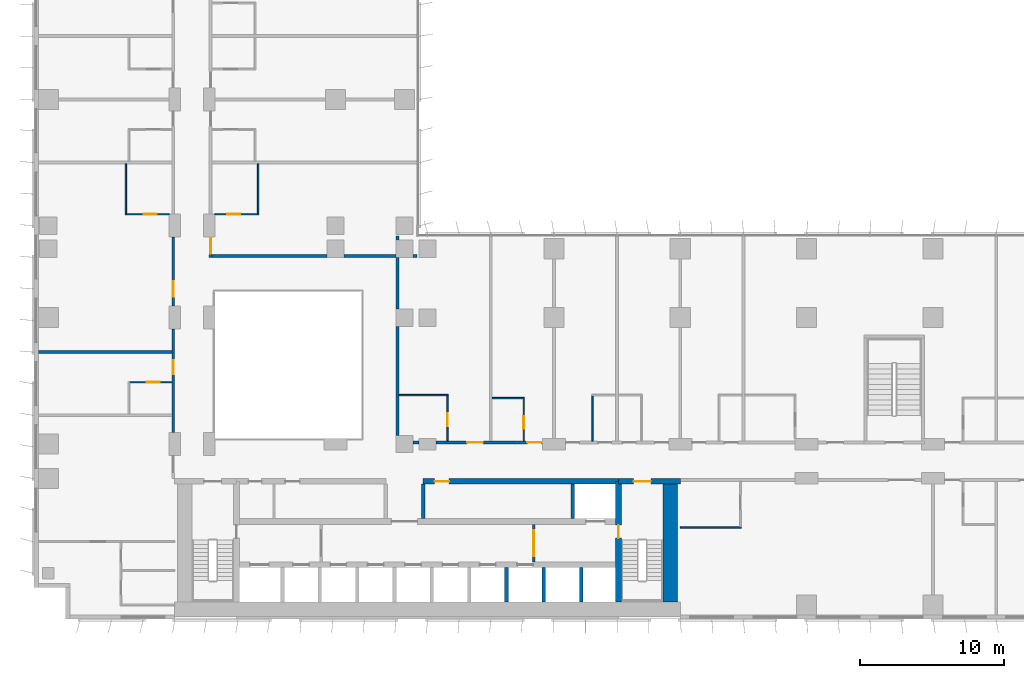
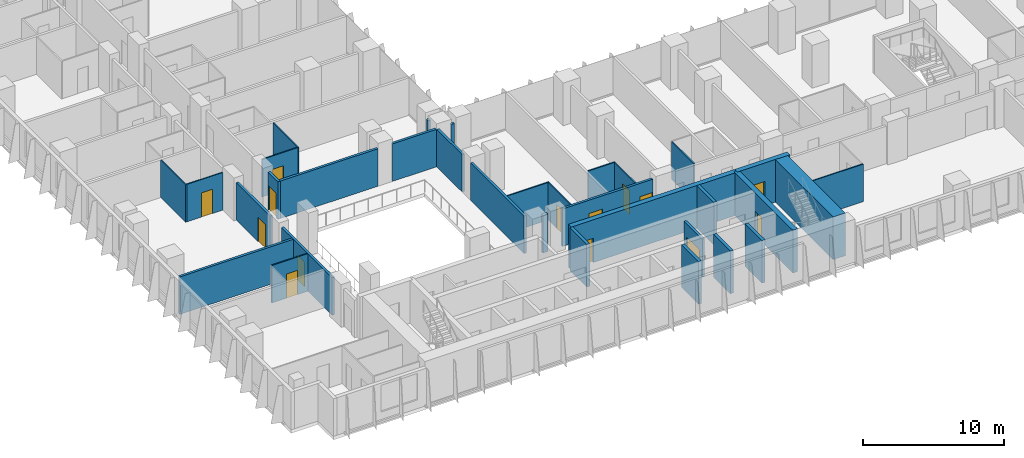
# One storey, part 13 of 23: 33 walls, 14 doors, 14 openings.
"""IFC4 building model written with IfcOpenShell, lengths in metres."""

from ifc_helpers import new_model, si_unit, direction, frame, frame_2d, origin, place, context, subcontext, project, spatial, rectangle, extrude, material, layer, layer_set, type_object, element, fill, save


model = new_model("IFC4")

# Units and contexts
model_context = context("Model", 3, precision=1e-05, world=origin(), true_north=direction((0.0, 1.0)))
body_context = subcontext(model_context, "Body", "Model", "MODEL_VIEW")
ifc_project = project(units=[si_unit("LENGTHUNIT", "METRE"), si_unit("AREAUNIT", "SQUARE_METRE"), si_unit("VOLUMEUNIT", "CUBIC_METRE"), si_unit("PLANEANGLEUNIT", "RADIAN"), si_unit("MASSUNIT", "GRAM", prefix="KILO")], contexts=[model_context])

# Site, building, storey
site_placement = place(None, origin())
site = spatial("IfcSite", under=ifc_project, at=site_placement, CompositionType="ELEMENT")
building_placement = place(site_placement, origin())
building = spatial("IfcBuilding", under=site, at=building_placement, Name="Kemantara Hotel Tower", CompositionType="ELEMENT")
storey_placement = place(building_placement, frame((0.0, 0.0, 67.300048828125)))
storey = spatial("IfcBuildingStorey", under=building, at=storey_placement, Name="L15", CompositionType="ELEMENT", Elevation=67.300048828125)

# Walls
ifc_material_1 = material(Name="Concrete fc 70 MPa", Category="concrete")
ifc_layer_1 = layer(ifc_material_1, 1.0)
ifc_layer_set_1 = layer_set([ifc_layer_1], Name="Concrete fc 70 MPa")
wall_type_1 = type_object("IfcWallType", Name="CORE WALL 1000 FC70", PredefinedType="SHEAR", material=ifc_layer_set_1)
wall_1_placement = place(storey_placement, frame((44.300048828125, 1.199951171875, 0.0), z_axis=(0.0, 0.0, 1.0), x_axis=(0.0, 1.0, 0.0)))
element("IfcWall", 1, at=wall_1_placement, inside=storey, type_object=wall_type_1, Name="CORE WALL CW-E", PredefinedType="SHEAR", context=body_context, shape_type="SweptSolid", body=[
    extrude(rectangle(XDim=8.60009765625, YDim=1.0, at=frame_2d((4.300048828125, 0.0))), origin(), (0.0, 0.0, 1.0), 3.699951171875),
])
ifc_layer_2 = layer(ifc_material_1, 0.25)
ifc_layer_set_2 = layer_set([ifc_layer_2], Name="Concrete fc 70 MPa")
wall_type_2 = type_object("IfcWallType", Name="CORE WALL 250 FC70", PredefinedType="SHEAR", material=ifc_layer_set_2)
for number, where, z_axis, x_axis, name in (
    (2, (32.89990234375, 1.199951171875, 0.0), (0.0, 0.0, 1.0), (0.0, 1.0, 0.0), "CORE WALL CW-DS32.9"),
    (3, (35.5, 1.199951171875, 0.0), (0.0, 0.0, 1.0), (0.0, 1.0, 0.0), "CORE WALL CW-DS35.5"),
    (4, (38.10009765625, 1.199951171875, 0.0), (0.0, 0.0, 1.0), (0.0, 1.0, 0.0), "CORE WALL CW-DS38.1"),
):
    element("IfcWall", number, at=place(storey_placement, frame(where, z_axis=z_axis, x_axis=x_axis)), inside=storey, type_object=wall_type_2, Name=name, PredefinedType="SHEAR", context=body_context, shape_type="SweptSolid", body=[
        extrude(rectangle(XDim=2.400146484375, YDim=0.25, at=frame_2d((1.2001953125, 0.0))), origin(), (0.0, 0.0, 1.0), 3.699951171875),
    ])
for number, where, z_axis, x_axis, name in (
    (5, (27.10009765625, 7.0, 0.0), (0.0, 0.0, 1.0), (0.0, 1.0, 0.0), "CORE WALL CW-DN27.1"),
    (6, (37.5, 7.0, 0.0), (0.0, 0.0, 1.0), (0.0, 1.0, 0.0), "CORE WALL CW-DN37.5"),
):
    element("IfcWall", number, at=place(storey_placement, frame(where, z_axis=z_axis, x_axis=x_axis)), inside=storey, type_object=wall_type_2, Name=name, PredefinedType="SHEAR", context=body_context, shape_type="SweptSolid", body=[
        extrude(rectangle(XDim=2.39990234375, YDim=0.25, at=frame_2d((1.199951171875, 0.0))), origin(), (0.0, 0.0, 1.0), 3.699951171875),
    ])

# Wall, opening, door
ifc_layer_3 = layer(ifc_material_1, 0.39990234375)
ifc_layer_set_3 = layer_set([ifc_layer_3], Name="Concrete fc 70 MPa")
wall_type_3 = type_object("IfcWallType", Name="CORE WALL 400 FC70", PredefinedType="SHEAR", material=ifc_layer_set_3)
wall_2_placement = place(storey_placement, frame((40.699951171875, 9.60009765625, 0.0), z_axis=(0.0, 0.0, 1.0), x_axis=(1.0, 0.0, 0.0)))
wall_2 = element("IfcWall", 7, at=wall_2_placement, inside=storey, type_object=wall_type_3, Name="CORE WALL CW-N2", PredefinedType="SHEAR", context=body_context, shape_type="SweptSolid", body=[
    extrude(rectangle(XDim=4.300048828125, YDim=0.39990234375, at=frame_2d((2.14990234375, 0.0))), origin(), (0.0, 0.0, 1.0), 3.699951171875),
])
opening_1_placement = place(wall_2_placement, frame((1.050048828125, 0.0, 0.0)))
opening_1 = element("IfcOpeningElement", 8, at=opening_1_placement, cuts=wall_2, Name="Opening C11-ST2-C", PredefinedType="OPENING", context=body_context, shape_type="SweptSolid", body=[
    extrude(rectangle(XDim=1.199951171875, YDim=2.10009765625, at=frame_2d((0.60009765625, 1.050048828125))), frame((0.0, 0.2099609375, 0.0), z_axis=(0.0, -1.0, 0.0), x_axis=(1.0, 0.0, 0.0)), (0.0, 0.0, 1.0), 0.419921875),
])
ifc_material_2 = material(Name="Steel fire door", Category="steel")
door_type_1 = type_object("IfcDoorType", Name="Fire door FD90 1200 x 2100", OperationType="NOTDEFINED", PredefinedType="DOOR", material=ifc_material_2)
door_1_placement = place(opening_1_placement, frame((1.199951171875, 0.0, 0.0), z_axis=(0.0, 0.0, 1.0), x_axis=(-1.0, 0.0, 0.0)))
door_1 = element("IfcDoor", 9, at=door_1_placement, inside=storey, type_object=door_type_1, Name="Stair ST2 door to corridor", OperationType="SINGLE_SWING_RIGHT", OverallHeight=2.10009765625, OverallWidth=1.199951171875, PredefinedType="DOOR", context=body_context, shape_type="SweptSolid", body=[
    extrude(rectangle(XDim=1.199951171875, YDim=2.10009765625, at=frame_2d((0.60009765625, 1.050048828125))), frame((0.0, 0.02490234375, 0.0), z_axis=(0.0, -1.0, 0.0), x_axis=(1.0, 0.0, 0.0)), (0.0, 0.0, 1.0), 0.050048828125),
])
fill(opening_1, door_1)

wall_3_placement = place(storey_placement, frame((27.10009765625, 9.60009765625, 0.0), z_axis=(0.0, 0.0, 1.0), x_axis=(1.0, 0.0, 0.0)))
wall_3 = element("IfcWall", 10, at=wall_3_placement, inside=storey, type_object=wall_type_3, Name="CORE WALL CW-NN2", PredefinedType="SHEAR", context=body_context, shape_type="SweptSolid", body=[
    extrude(rectangle(XDim=13.599853515625, YDim=0.39990234375, at=frame_2d((6.7998046875, 0.0))), origin(), (0.0, 0.0, 1.0), 3.699951171875),
])
opening_2_placement = place(wall_3_placement, frame((0.800048828125, 0.0, 0.0)))
opening_2 = element("IfcOpeningElement", 11, at=opening_2_placement, cuts=wall_3, Name="Opening C11-R-NE1", PredefinedType="OPENING", context=body_context, shape_type="SweptSolid", body=[
    extrude(rectangle(XDim=1.0, YDim=2.10009765625, at=frame_2d((0.5, 1.050048828125))), frame((0.0, 0.2099609375, 0.0), z_axis=(0.0, -1.0, 0.0), x_axis=(1.0, 0.0, 0.0)), (0.0, 0.0, 1.0), 0.419921875),
])
door_type_2 = type_object("IfcDoorType", Name="Fire door FD30S 1000 x 2100", OperationType="NOTDEFINED", PredefinedType="DOOR", material=ifc_material_2)
door_2_placement = place(opening_2_placement, frame((1.0, 0.0, 0.0), z_axis=(0.0, 0.0, 1.0), x_axis=(-1.0, 0.0, 0.0)))
door_2 = element("IfcDoor", 12, at=door_2_placement, inside=storey, type_object=door_type_2, Name="Luggage Store door", OperationType="SINGLE_SWING_RIGHT", OverallHeight=2.10009765625, OverallWidth=1.0, PredefinedType="DOOR", context=body_context, shape_type="SweptSolid", body=[
    extrude(rectangle(XDim=1.0, YDim=2.10009765625, at=frame_2d((0.5, 1.050048828125))), frame((0.0, 0.02490234375, 0.0), z_axis=(0.0, -1.0, 0.0), x_axis=(1.0, 0.0, 0.0)), (0.0, 0.0, 1.0), 0.050048828125),
])
fill(opening_2, door_2)

wall_4_placement = place(storey_placement, frame((40.699951171875, 1.199951171875, 0.0), z_axis=(0.0, 0.0, 1.0), x_axis=(0.0, 1.0, 0.0)))
wall_4 = element("IfcWall", 13, at=wall_4_placement, inside=storey, type_object=wall_type_3, Name="CORE WALL CW-ST2W", PredefinedType="SHEAR", context=body_context, shape_type="SweptSolid", body=[
    extrude(rectangle(XDim=8.400146484375, YDim=0.39990234375, at=frame_2d((4.2001953125, 0.0))), origin(), (0.0, 0.0, 1.0), 3.699951171875),
])
opening_3_placement = place(wall_4_placement, frame((4.449951171875, 0.0, 0.0)))
opening_3 = element("IfcOpeningElement", 14, at=opening_3_placement, cuts=wall_4, Name="Opening C11-ST2-F", PredefinedType="OPENING", context=body_context, shape_type="SweptSolid", body=[
    extrude(rectangle(XDim=0.89990234375, YDim=2.10009765625, at=frame_2d((0.449951171875, 1.050048828125))), frame((0.0, 0.2099609375, 0.0), z_axis=(0.0, -1.0, 0.0), x_axis=(1.0, 0.0, 0.0)), (0.0, 0.0, 1.0), 0.419921875),
])
door_type_3 = type_object("IfcDoorType", Name="Fire door FD90 900 x 2100", OperationType="NOTDEFINED", PredefinedType="DOOR", material=ifc_material_2)
door_3_placement = place(opening_3_placement, frame((0.89990234375, 0.0, 0.0), z_axis=(0.0, 0.0, 1.0), x_axis=(-1.0, 0.0, 0.0)))
door_3 = element("IfcDoor", 15, at=door_3_placement, inside=storey, type_object=door_type_3, Name="Stair ST2 door to firefighting lobby", OperationType="SINGLE_SWING_LEFT", OverallHeight=2.10009765625, OverallWidth=0.89990234375, PredefinedType="DOOR", context=body_context, shape_type="SweptSolid", body=[
    extrude(rectangle(XDim=0.89990234375, YDim=2.10009765625, at=frame_2d((0.449951171875, 1.050048828125))), frame((0.0, 0.02490234375, 0.0), z_axis=(0.0, -1.0, 0.0), x_axis=(1.0, 0.0, 0.0)), (0.0, 0.0, 1.0), 0.050048828125),
])
fill(opening_3, door_3)

# Wall
ifc_material_3 = material(Name="Gypsum board partition, steel studs and mineral wool, 200 mm", Category="steel")
ifc_layer_4 = layer(ifc_material_3, 0.199951171875)
ifc_layer_set_4 = layer_set([ifc_layer_4], Name="Gypsum board partition, steel studs and mineral wool, 200 mm")
wall_type_4 = type_object("IfcWallType", Name="CORRIDOR WALL 200", PredefinedType="PARTITIONING", material=ifc_layer_set_4)
wall_5_placement = place(storey_placement, frame((26.400146484375, 12.300048828125, 0.0), z_axis=(0.0, 0.0, 1.0), x_axis=(1.0, 0.0, 0.0)))
element("IfcWall", 16, at=wall_5_placement, inside=storey, type_object=wall_type_4, Name="CORRIDOR WALL 200 009", PredefinedType="PARTITIONING", context=body_context, shape_type="SweptSolid", body=[
    extrude(rectangle(XDim=0.399658203125, YDim=0.199951171875, at=frame_2d((0.19970703125, 0.0))), origin(), (0.0, 0.0, 1.0), 3.25),
])

# Wall, openings, doors
wall_6_placement = place(storey_placement, frame((28.0, 12.300048828125, 0.0), z_axis=(0.0, 0.0, 1.0), x_axis=(1.0, 0.0, 0.0)))
wall_6 = element("IfcWall", 17, at=wall_6_placement, inside=storey, type_object=wall_type_4, Name="CORRIDOR WALL 200 010", PredefinedType="PARTITIONING", context=body_context, shape_type="SweptSolid", body=[
    extrude(rectangle(XDim=7.39990234375, YDim=0.199951171875, at=frame_2d((3.699951171875, 0.0))), origin(), (0.0, 0.0, 1.0), 3.25),
])
opening_4_placement = place(wall_6_placement, frame((2.14990234375, 0.0, 0.0)))
opening_4 = element("IfcOpeningElement", 18, at=opening_4_placement, cuts=wall_6, Name="Opening F05-009", PredefinedType="OPENING", context=body_context, shape_type="SweptSolid", body=[
    extrude(rectangle(XDim=1.10009765625, YDim=2.10009765625, at=frame_2d((0.550048828125, 1.050048828125))), frame((0.0, 0.10986328125, 0.0), z_axis=(0.0, -1.0, 0.0), x_axis=(1.0, 0.0, 0.0)), (0.0, 0.0, 1.0), 0.219970703125),
])
opening_5_placement = place(wall_6_placement, frame((6.349853515625, 0.0, 0.0)))
opening_5 = element("IfcOpeningElement", 19, at=opening_5_placement, cuts=wall_6, Name="Opening F05-011", PredefinedType="OPENING", context=body_context, shape_type="SweptSolid", body=[
    extrude(rectangle(XDim=1.0, YDim=2.10009765625, at=frame_2d((0.5, 1.050048828125))), frame((0.0, 0.10986328125, 0.0), z_axis=(0.0, -1.0, 0.0), x_axis=(1.0, 0.0, 0.0)), (0.0, 0.0, 1.0), 0.219970703125),
])
ifc_material_4 = material(Name="Hardwood veneer door leaf with steel frame", Category="steel")
door_type_4 = type_object("IfcDoorType", Name="GUEST ROOM DOOR 1000 X 2100 FD30S", OperationType="NOTDEFINED", PredefinedType="DOOR", material=ifc_material_4)
door_4_placement = place(opening_5_placement, origin())
door_4 = element("IfcDoor", 20, at=door_4_placement, inside=storey, type_object=door_type_4, Name="GUEST ROOM DOOR F05-011", OperationType="SINGLE_SWING_RIGHT", OverallHeight=2.10009765625, OverallWidth=1.0, PredefinedType="DOOR", context=body_context, shape_type="SweptSolid", body=[
    extrude(rectangle(XDim=1.0, YDim=2.10009765625, at=frame_2d((0.5, 1.050048828125))), frame((0.0, 0.02490234375, 0.0), z_axis=(0.0, -1.0, 0.0), x_axis=(1.0, 0.0, 0.0)), (0.0, 0.0, 1.0), 0.050048828125),
])
fill(opening_5, door_4)
door_type_5 = type_object("IfcDoorType", Name="SUITE ENTRANCE DOOR 1100 X 2100 FD30S", OperationType="NOTDEFINED", PredefinedType="DOOR", material=ifc_material_4)
door_5_placement = place(opening_4_placement, origin())
door_5 = element("IfcDoor", 21, at=door_5_placement, inside=storey, type_object=door_type_5, Name="SUITE ENTRANCE DOOR F05-009", OperationType="SINGLE_SWING_RIGHT", OverallHeight=2.10009765625, OverallWidth=1.10009765625, PredefinedType="DOOR", context=body_context, shape_type="SweptSolid", body=[
    extrude(rectangle(XDim=1.10009765625, YDim=2.10009765625, at=frame_2d((0.550048828125, 1.050048828125))), frame((0.0, 0.02490234375, 0.0), z_axis=(0.0, -1.0, 0.0), x_axis=(1.0, 0.0, 0.0)), (0.0, 0.0, 1.0), 0.050048828125),
])
fill(opening_4, door_5)

# Wall, opening, door
wall_7_placement = place(storey_placement, frame((9.699951171875, 13.0, 0.0), z_axis=(0.0, 0.0, 1.0), x_axis=(0.0, 1.0, 0.0)))
wall_7 = element("IfcWall", 22, at=wall_7_placement, inside=storey, type_object=wall_type_4, Name="CORRIDOR WALL 200 027", PredefinedType="PARTITIONING", context=body_context, shape_type="SweptSolid", body=[
    extrude(rectangle(XDim=7.199951171875, YDim=0.199951171875, at=frame_2d((3.60009765625, 0.0))), origin(), (0.0, 0.0, 1.0), 3.25),
])
opening_6_placement = place(wall_7_placement, frame((4.0498046875, 0.0, 0.0)))
opening_6 = element("IfcOpeningElement", 23, at=opening_6_placement, cuts=wall_7, Name="Opening F05-031", PredefinedType="OPENING", context=body_context, shape_type="SweptSolid", body=[
    extrude(rectangle(XDim=1.0, YDim=2.10009765625, at=frame_2d((0.5, 1.050048828125))), frame((0.0, 0.10986328125, 0.0), z_axis=(0.0, -1.0, 0.0), x_axis=(1.0, 0.0, 0.0)), (0.0, 0.0, 1.0), 0.219970703125),
])
door_6_placement = place(opening_6_placement, origin())
door_6 = element("IfcDoor", 24, at=door_6_placement, inside=storey, type_object=door_type_4, Name="GUEST ROOM DOOR F05-031", OperationType="SINGLE_SWING_RIGHT", OverallHeight=2.10009765625, OverallWidth=1.0, PredefinedType="DOOR", context=body_context, shape_type="SweptSolid", body=[
    extrude(rectangle(XDim=1.0, YDim=2.10009765625, at=frame_2d((0.5, 1.050048828125))), frame((0.0, 0.02490234375, 0.0), z_axis=(0.0, -1.0, 0.0), x_axis=(1.0, 0.0, 0.0)), (0.0, 0.0, 1.0), 0.050048828125),
])
fill(opening_6, door_6)

wall_8_placement = place(storey_placement, frame((9.699951171875, 21.800048828125, 0.0), z_axis=(0.0, 0.0, 1.0), x_axis=(0.0, 1.0, 0.0)))
wall_8 = element("IfcWall", 25, at=wall_8_placement, inside=storey, type_object=wall_type_4, Name="CORRIDOR WALL 200 028", PredefinedType="PARTITIONING", context=body_context, shape_type="SweptSolid", body=[
    extrude(rectangle(XDim=4.7998046875, YDim=0.199951171875, at=frame_2d((2.39990234375, 0.0))), origin(), (0.0, 0.0, 1.0), 3.25),
])
opening_7_placement = place(wall_8_placement, frame((0.64990234375, 0.0, 0.0)))
opening_7 = element("IfcOpeningElement", 26, at=opening_7_placement, cuts=wall_8, Name="Opening F05-033", PredefinedType="OPENING", context=body_context, shape_type="SweptSolid", body=[
    extrude(rectangle(XDim=1.10009765625, YDim=2.10009765625, at=frame_2d((0.550048828125, 1.050048828125))), frame((0.0, 0.10986328125, 0.0), z_axis=(0.0, -1.0, 0.0), x_axis=(1.0, 0.0, 0.0)), (0.0, 0.0, 1.0), 0.219970703125),
])
door_7_placement = place(opening_7_placement, origin())
door_7 = element("IfcDoor", 27, at=door_7_placement, inside=storey, type_object=door_type_5, Name="SUITE ENTRANCE DOOR F05-033", OperationType="SINGLE_SWING_LEFT", OverallHeight=2.10009765625, OverallWidth=1.10009765625, PredefinedType="DOOR", context=body_context, shape_type="SweptSolid", body=[
    extrude(rectangle(XDim=1.10009765625, YDim=2.10009765625, at=frame_2d((0.550048828125, 1.050048828125))), frame((0.0, 0.02490234375, 0.0), z_axis=(0.0, -1.0, 0.0), x_axis=(1.0, 0.0, 0.0)), (0.0, 0.0, 1.0), 0.050048828125),
])
fill(opening_7, door_7)

wall_9_placement = place(storey_placement, frame((12.300048828125, 26.599853515625, 0.0), z_axis=(0.0, 0.0, 1.0), x_axis=(0.0, -1.0, 0.0)))
wall_9 = element("IfcWall", 28, at=wall_9_placement, inside=storey, type_object=wall_type_4, Name="CORRIDOR WALL 200 048", PredefinedType="PARTITIONING", context=body_context, shape_type="SweptSolid", body=[
    extrude(rectangle(XDim=1.39990234375, YDim=0.199951171875, at=frame_2d((0.699951171875, 0.0))), origin(), (0.0, 0.0, 1.0), 3.25),
])
opening_8_placement = place(wall_9_placement, frame((0.0498046875, 0.0, 0.0)))
opening_8 = element("IfcOpeningElement", 29, at=opening_8_placement, cuts=wall_9, Name="Opening F05-049", PredefinedType="OPENING", context=body_context, shape_type="SweptSolid", body=[
    extrude(rectangle(XDim=1.10009765625, YDim=2.10009765625, at=frame_2d((0.550048828125, 1.050048828125))), frame((0.0, 0.10986328125, 0.0), z_axis=(0.0, -1.0, 0.0), x_axis=(1.0, 0.0, 0.0)), (0.0, 0.0, 1.0), 0.219970703125),
])
door_8_placement = place(opening_8_placement, origin())
door_8 = element("IfcDoor", 30, at=door_8_placement, inside=storey, type_object=door_type_5, Name="SUITE ENTRANCE DOOR F05-049", OperationType="SINGLE_SWING_RIGHT", OverallHeight=2.10009765625, OverallWidth=1.10009765625, PredefinedType="DOOR", context=body_context, shape_type="SweptSolid", body=[
    extrude(rectangle(XDim=1.10009765625, YDim=2.10009765625, at=frame_2d((0.550048828125, 1.050048828125))), frame((0.0, 0.02490234375, 0.0), z_axis=(0.0, -1.0, 0.0), x_axis=(1.0, 0.0, 0.0)), (0.0, 0.0, 1.0), 0.050048828125),
])
fill(opening_8, door_8)

# Walls
ifc_layer_5 = layer(ifc_material_3, 0.199951171875)
ifc_layer_set_5 = layer_set([ifc_layer_5], Name="Gypsum board partition, steel studs and mineral wool, 200 mm")
wall_type_5 = type_object("IfcWallType", Name="GUEST ROOM PARTY WALL 200", PredefinedType="PARTITIONING", material=ifc_layer_set_5)
wall_10_placement = place(storey_placement, frame((25.300048828125, 12.800048828125, 0.0), z_axis=(0.0, 0.0, 1.0), x_axis=(0.0, 1.0, 0.0)))
element("IfcWall", 31, at=wall_10_placement, inside=storey, type_object=wall_type_5, Name="GUEST ROOM PARTY WALL 200 016", PredefinedType="PARTITIONING", context=body_context, shape_type="SweptSolid", body=[
    extrude(rectangle(XDim=7.599853515625, YDim=0.199951171875, at=frame_2d((3.7998046875, 0.0))), origin(), (0.0, 0.0, 1.0), 3.25),
])
wall_11_placement = place(storey_placement, frame((25.300048828125, 21.60009765625, 0.0), z_axis=(0.0, 0.0, 1.0), x_axis=(0.0, 1.0, 0.0)))
element("IfcWall", 32, at=wall_11_placement, inside=storey, type_object=wall_type_5, Name="GUEST ROOM PARTY WALL 200 017", PredefinedType="PARTITIONING", context=body_context, shape_type="SweptSolid", body=[
    extrude(rectangle(XDim=3.599853515625, YDim=0.199951171875, at=frame_2d((1.7998046875, 0.0))), origin(), (0.0, 0.0, 1.0), 3.25),
])
wall_12_placement = place(storey_placement, frame((25.300048828125, 26.400146484375, 0.0), z_axis=(0.0, 0.0, 1.0), x_axis=(0.0, 1.0, 0.0)))
element("IfcWall", 33, at=wall_12_placement, inside=storey, type_object=wall_type_5, Name="GUEST ROOM PARTY WALL 200 018", PredefinedType="PARTITIONING", context=body_context, shape_type="SweptSolid", body=[
    extrude(rectangle(XDim=0.269775390625, YDim=0.199951171875, at=frame_2d((0.134765625, 0.0))), origin(), (0.0, 0.0, 1.0), 3.25),
])
wall_13_placement = place(storey_placement, frame((0.31005859375, 18.60009765625, 0.0), z_axis=(0.0, 0.0, 1.0), x_axis=(1.0, 0.0, 0.0)))
element("IfcWall", 34, at=wall_13_placement, inside=storey, type_object=wall_type_5, Name="GUEST ROOM PARTY WALL 200 036", PredefinedType="PARTITIONING", context=body_context, shape_type="SweptSolid", body=[
    extrude(rectangle(XDim=9.2900390625, YDim=0.199951171875, at=frame_2d((4.64501953125, 0.0))), origin(), (0.0, 0.0, 1.0), 3.25),
])
wall_14_placement = place(storey_placement, frame((12.39990234375, 25.300048828125, 0.0), z_axis=(0.0, 0.0, 1.0), x_axis=(1.0, 0.0, 0.0)))
element("IfcWall", 35, at=wall_14_placement, inside=storey, type_object=wall_type_5, Name="GUEST ROOM PARTY WALL 200 055", PredefinedType="PARTITIONING", context=body_context, shape_type="SweptSolid", body=[
    extrude(rectangle(XDim=8.0, YDim=0.199951171875, at=frame_2d((4.0, 0.0))), origin(), (0.0, 0.0, 1.0), 3.25),
])
wall_15_placement = place(storey_placement, frame((21.60009765625, 25.300048828125, 0.0), z_axis=(0.0, 0.0, 1.0), x_axis=(1.0, 0.0, 0.0)))
element("IfcWall", 36, at=wall_15_placement, inside=storey, type_object=wall_type_5, Name="GUEST ROOM PARTY WALL 200 056", PredefinedType="PARTITIONING", context=body_context, shape_type="SweptSolid", body=[
    extrude(rectangle(XDim=3.599853515625, YDim=0.199951171875, at=frame_2d((1.7998046875, 0.0))), origin(), (0.0, 0.0, 1.0), 3.25),
])
wall_16_placement = place(storey_placement, frame((26.400146484375, 25.300048828125, 0.0), z_axis=(0.0, 0.0, 1.0), x_axis=(1.0, 0.0, 0.0)))
element("IfcWall", 37, at=wall_16_placement, inside=storey, type_object=wall_type_5, Name="GUEST ROOM PARTY WALL 200 057", PredefinedType="PARTITIONING", context=body_context, shape_type="SweptSolid", body=[
    extrude(rectangle(XDim=0.269775390625, YDim=0.199951171875, at=frame_2d((0.134765625, 0.0))), origin(), (0.0, 0.0, 1.0), 3.25),
])

# Wall, opening, door
ifc_material_5 = material(Name="Gypsum board shaft wall")
ifc_layer_6 = layer(ifc_material_5, 0.199951171875)
ifc_layer_set_6 = layer_set([ifc_layer_6], Name="Gypsum board shaft wall")
wall_type_6 = type_object("IfcWallType", Name="Gypsum board shaft wall 200 mm", PredefinedType="PARTITIONING", material=ifc_layer_set_6)
wall_17_placement = place(storey_placement, frame((34.800048828125, 4.0, 0.0), z_axis=(0.0, 0.0, 1.0), x_axis=(0.0, 1.0, 0.0)))
wall_17 = element("IfcWall", 38, at=wall_17_placement, inside=storey, type_object=wall_type_6, Name="Firefighting lobby partition east", PredefinedType="PARTITIONING", context=body_context, shape_type="SweptSolid", body=[
    extrude(rectangle(XDim=2.60009765625, YDim=0.199951171875, at=frame_2d((1.300048828125, 0.0))), origin(), (0.0, 0.0, 1.0), 3.25),
])
opening_9_placement = place(wall_17_placement, frame((0.39990234375, 0.0, 0.0)))
opening_9 = element("IfcOpeningElement", 39, at=opening_9_placement, cuts=wall_17, Name="Opening C11-FFE", PredefinedType="OPENING", context=body_context, shape_type="SweptSolid", body=[
    extrude(rectangle(XDim=1.800048828125, YDim=2.10009765625, at=frame_2d((0.89990234375, 1.050048828125))), frame((0.0, 0.10986328125, 0.0), z_axis=(0.0, -1.0, 0.0), x_axis=(1.0, 0.0, 0.0)), (0.0, 0.0, 1.0), 0.219970703125),
])
door_type_6 = type_object("IfcDoorType", Name="Fire door pair FD60 1800 x 2100", OperationType="DOUBLE_DOOR_SINGLE_SWING", PredefinedType="DOOR", material=ifc_material_2)
door_9_placement = place(opening_9_placement, frame((1.800048828125, 0.0, 0.0), z_axis=(0.0, 0.0, 1.0), x_axis=(-1.0, 0.0, 0.0)))
door_9 = element("IfcDoor", 40, at=door_9_placement, inside=storey, type_object=door_type_6, Name="Firefighting lobby door east", OperationType="DOUBLE_DOOR_SINGLE_SWING", OverallHeight=2.10009765625, OverallWidth=1.800048828125, PredefinedType="DOOR", context=body_context, shape_type="SweptSolid", body=[
    extrude(rectangle(XDim=1.800048828125, YDim=2.10009765625, at=frame_2d((0.89990234375, 1.050048828125))), frame((0.0, 0.02490234375, 0.0), z_axis=(0.0, -1.0, 0.0), x_axis=(1.0, 0.0, 0.0)), (0.0, 0.0, 1.0), 0.050048828125),
])
fill(opening_9, door_9)

# Walls
ifc_material_6 = material(Name="Gypsum board partition on steel studs, 100 mm", Category="steel")
ifc_layer_7 = layer(ifc_material_6, 0.10009765625)
ifc_layer_set_7 = layer_set([ifc_layer_7], Name="Gypsum board partition on steel studs, 100 mm")
wall_type_7 = type_object("IfcWallType", Name="ROOM PARTITION 100", PredefinedType="PARTITIONING", material=ifc_layer_set_7)
wall_18_placement = place(storey_placement, frame((45.0, 6.39990234375, 0.0), z_axis=(0.0, 0.0, 1.0), x_axis=(1.0, 0.0, 0.0)))
element("IfcWall", 41, at=wall_18_placement, inside=storey, type_object=wall_type_7, Name="ROOM PARTITION 100 065", PredefinedType="PARTITIONING", context=body_context, shape_type="SweptSolid", body=[
    extrude(rectangle(XDim=4.25, YDim=0.10009765625, at=frame_2d((2.125, 0.0))), origin(), (0.0, 0.0, 1.0), 3.25),
])
wall_19_placement = place(storey_placement, frame((25.39990234375, 15.60009765625, 0.0), z_axis=(0.0, 0.0, 1.0), x_axis=(1.0, 0.0, 0.0)))
element("IfcWall", 42, at=wall_19_placement, inside=storey, type_object=wall_type_7, Name="ROOM PARTITION 100 074", PredefinedType="PARTITIONING", context=body_context, shape_type="SweptSolid", body=[
    extrude(rectangle(XDim=3.4501953125, YDim=0.10009765625, at=frame_2d((1.72509765625, 0.0))), origin(), (0.0, 0.0, 1.0), 3.25),
])

# Wall, opening, door
wall_20_placement = place(storey_placement, frame((28.800048828125, 12.39990234375, 0.0), z_axis=(0.0, 0.0, 1.0), x_axis=(0.0, 1.0, 0.0)))
wall_20 = element("IfcWall", 43, at=wall_20_placement, inside=storey, type_object=wall_type_7, Name="ROOM PARTITION 100 079", PredefinedType="PARTITIONING", context=body_context, shape_type="SweptSolid", body=[
    extrude(rectangle(XDim=3.150146484375, YDim=0.10009765625, at=frame_2d((1.5751953125, 0.0))), origin(), (0.0, 0.0, 1.0), 3.25),
])
opening_10_placement = place(wall_20_placement, frame((1.050048828125, 0.0, 0.0)))
opening_10 = element("IfcOpeningElement", 44, at=opening_10_placement, cuts=wall_20, Name="Opening F05-010", PredefinedType="OPENING", context=body_context, shape_type="SweptSolid", body=[
    extrude(rectangle(XDim=0.89990234375, YDim=2.10009765625, at=frame_2d((0.449951171875, 1.050048828125))), frame((0.0, 0.06005859375, 0.0), z_axis=(0.0, -1.0, 0.0), x_axis=(1.0, 0.0, 0.0)), (0.0, 0.0, 1.0), 0.1201171875),
])
door_type_7 = type_object("IfcDoorType", Name="BATHROOM DOOR 900 X 2100", OperationType="NOTDEFINED", PredefinedType="DOOR", material=ifc_material_4)
door_10_placement = place(opening_10_placement, origin())
door_10 = element("IfcDoor", 45, at=door_10_placement, inside=storey, type_object=door_type_7, Name="BATHROOM DOOR F05-010", OperationType="SINGLE_SWING_LEFT", OverallHeight=2.10009765625, OverallWidth=0.89990234375, PredefinedType="DOOR", context=body_context, shape_type="SweptSolid", body=[
    extrude(rectangle(XDim=0.89990234375, YDim=2.10009765625, at=frame_2d((0.449951171875, 1.050048828125))), frame((0.0, 0.02490234375, 0.0), z_axis=(0.0, -1.0, 0.0), x_axis=(1.0, 0.0, 0.0)), (0.0, 0.0, 1.0), 0.050048828125),
])
fill(opening_10, door_10)

# Wall
wall_21_placement = place(storey_placement, frame((31.89990234375, 15.39990234375, 0.0), z_axis=(0.0, 0.0, 1.0), x_axis=(1.0, 0.0, 0.0)))
element("IfcWall", 46, at=wall_21_placement, inside=storey, type_object=wall_type_7, Name="ROOM PARTITION 100 080", PredefinedType="PARTITIONING", context=body_context, shape_type="SweptSolid", body=[
    extrude(rectangle(XDim=2.25, YDim=0.10009765625, at=frame_2d((1.125, 0.0))), origin(), (0.0, 0.0, 1.0), 3.25),
])

# Wall, opening, door
wall_22_placement = place(storey_placement, frame((34.10009765625, 12.39990234375, 0.0), z_axis=(0.0, 0.0, 1.0), x_axis=(0.0, 1.0, 0.0)))
wall_22 = element("IfcWall", 47, at=wall_22_placement, inside=storey, type_object=wall_type_7, Name="ROOM PARTITION 100 083", PredefinedType="PARTITIONING", context=body_context, shape_type="SweptSolid", body=[
    extrude(rectangle(XDim=2.9501953125, YDim=0.10009765625, at=frame_2d((1.47509765625, 0.0))), origin(), (0.0, 0.0, 1.0), 3.25),
])
opening_11_placement = place(wall_22_placement, frame((0.85009765625, 0.0, 0.0)))
opening_11 = element("IfcOpeningElement", 48, at=opening_11_placement, cuts=wall_22, Name="Opening F05-012", PredefinedType="OPENING", context=body_context, shape_type="SweptSolid", body=[
    extrude(rectangle(XDim=0.89990234375, YDim=2.10009765625, at=frame_2d((0.449951171875, 1.050048828125))), frame((0.0, 0.06005859375, 0.0), z_axis=(0.0, -1.0, 0.0), x_axis=(1.0, 0.0, 0.0)), (0.0, 0.0, 1.0), 0.1201171875),
])
door_11_placement = place(opening_11_placement, origin())
door_11 = element("IfcDoor", 49, at=door_11_placement, inside=storey, type_object=door_type_7, Name="BATHROOM DOOR F05-012", OperationType="SINGLE_SWING_LEFT", OverallHeight=2.10009765625, OverallWidth=0.89990234375, PredefinedType="DOOR", context=body_context, shape_type="SweptSolid", body=[
    extrude(rectangle(XDim=0.89990234375, YDim=2.10009765625, at=frame_2d((0.449951171875, 1.050048828125))), frame((0.0, 0.02490234375, 0.0), z_axis=(0.0, -1.0, 0.0), x_axis=(1.0, 0.0, 0.0)), (0.0, 0.0, 1.0), 0.050048828125),
])
fill(opening_11, door_11)

# Wall
wall_23_placement = place(storey_placement, frame((38.89990234375, 12.39990234375, 0.0), z_axis=(0.0, 0.0, 1.0), x_axis=(0.0, 1.0, 0.0)))
element("IfcWall", 50, at=wall_23_placement, inside=storey, type_object=wall_type_7, Name="ROOM PARTITION 100 084", PredefinedType="PARTITIONING", context=body_context, shape_type="SweptSolid", body=[
    extrude(rectangle(XDim=3.150146484375, YDim=0.10009765625, at=frame_2d((1.5751953125, 0.0))), origin(), (0.0, 0.0, 1.0), 3.25),
])

# Wall, opening, door
wall_24_placement = place(storey_placement, frame((9.60009765625, 16.5, 0.0), z_axis=(0.0, 0.0, 1.0), x_axis=(-1.0, 0.0, 0.0)))
wall_24 = element("IfcWall", 51, at=wall_24_placement, inside=storey, type_object=wall_type_7, Name="ROOM PARTITION 100 101", PredefinedType="PARTITIONING", context=body_context, shape_type="SweptSolid", body=[
    extrude(rectangle(XDim=2.9501953125, YDim=0.10009765625, at=frame_2d((1.47509765625, 0.0))), origin(), (0.0, 0.0, 1.0), 3.25),
])
opening_12_placement = place(wall_24_placement, frame((0.85009765625, 0.0, 0.0)))
opening_12 = element("IfcOpeningElement", 52, at=opening_12_placement, cuts=wall_24, Name="Opening F05-032", PredefinedType="OPENING", context=body_context, shape_type="SweptSolid", body=[
    extrude(rectangle(XDim=0.89990234375, YDim=2.10009765625, at=frame_2d((0.449951171875, 1.050048828125))), frame((0.0, 0.06005859375, 0.0), z_axis=(0.0, -1.0, 0.0), x_axis=(1.0, 0.0, 0.0)), (0.0, 0.0, 1.0), 0.1201171875),
])
door_12_placement = place(opening_12_placement, origin())
door_12 = element("IfcDoor", 53, at=door_12_placement, inside=storey, type_object=door_type_7, Name="BATHROOM DOOR F05-032", OperationType="SINGLE_SWING_LEFT", OverallHeight=2.10009765625, OverallWidth=0.89990234375, PredefinedType="DOOR", context=body_context, shape_type="SweptSolid", body=[
    extrude(rectangle(XDim=0.89990234375, YDim=2.10009765625, at=frame_2d((0.449951171875, 1.050048828125))), frame((0.0, 0.02490234375, 0.0), z_axis=(0.0, -1.0, 0.0), x_axis=(1.0, 0.0, 0.0)), (0.0, 0.0, 1.0), 0.050048828125),
])
fill(opening_12, door_12)

# Wall
wall_25_placement = place(storey_placement, frame((6.39990234375, 28.14990234375, 0.0), z_axis=(0.0, 0.0, 1.0), x_axis=(0.0, 1.0, 0.0)))
element("IfcWall", 54, at=wall_25_placement, inside=storey, type_object=wall_type_7, Name="ROOM PARTITION 100 102", PredefinedType="PARTITIONING", context=body_context, shape_type="SweptSolid", body=[
    extrude(rectangle(XDim=3.550048828125, YDim=0.10009765625, at=frame_2d((1.77490234375, 0.0))), origin(), (0.0, 0.0, 1.0), 3.25),
])

# Wall, opening, door
wall_26_placement = place(storey_placement, frame((6.449951171875, 28.199951171875, 0.0), z_axis=(0.0, 0.0, 1.0), x_axis=(1.0, 0.0, 0.0)))
wall_26 = element("IfcWall", 55, at=wall_26_placement, inside=storey, type_object=wall_type_7, Name="ROOM PARTITION 100 105", PredefinedType="PARTITIONING", context=body_context, shape_type="SweptSolid", body=[
    extrude(rectangle(XDim=2.949951171875, YDim=0.10009765625, at=frame_2d((1.47509765625, 0.0))), origin(), (0.0, 0.0, 1.0), 3.25),
])
opening_13_placement = place(wall_26_placement, frame((1.199951171875, 0.0, 0.0)))
opening_13 = element("IfcOpeningElement", 56, at=opening_13_placement, cuts=wall_26, Name="Opening F05-034", PredefinedType="OPENING", context=body_context, shape_type="SweptSolid", body=[
    extrude(rectangle(XDim=0.89990234375, YDim=2.10009765625, at=frame_2d((0.449951171875, 1.050048828125))), frame((0.0, 0.06005859375, 0.0), z_axis=(0.0, -1.0, 0.0), x_axis=(1.0, 0.0, 0.0)), (0.0, 0.0, 1.0), 0.1201171875),
])
door_13_placement = place(opening_13_placement, origin())
door_13 = element("IfcDoor", 57, at=door_13_placement, inside=storey, type_object=door_type_7, Name="BATHROOM DOOR F05-034", OperationType="SINGLE_SWING_RIGHT", OverallHeight=2.10009765625, OverallWidth=0.89990234375, PredefinedType="DOOR", context=body_context, shape_type="SweptSolid", body=[
    extrude(rectangle(XDim=0.89990234375, YDim=2.10009765625, at=frame_2d((0.449951171875, 1.050048828125))), frame((0.0, 0.02490234375, 0.0), z_axis=(0.0, -1.0, 0.0), x_axis=(1.0, 0.0, 0.0)), (0.0, 0.0, 1.0), 0.050048828125),
])
fill(opening_13, door_13)

wall_27_placement = place(storey_placement, frame((12.60009765625, 28.199951171875, 0.0), z_axis=(0.0, 0.0, 1.0), x_axis=(1.0, 0.0, 0.0)))
wall_27 = element("IfcWall", 58, at=wall_27_placement, inside=storey, type_object=wall_type_7, Name="ROOM PARTITION 100 106", PredefinedType="PARTITIONING", context=body_context, shape_type="SweptSolid", body=[
    extrude(rectangle(XDim=2.949951171875, YDim=0.10009765625, at=frame_2d((1.47509765625, 0.0))), origin(), (0.0, 0.0, 1.0), 3.25),
])
opening_14_placement = place(wall_27_placement, frame((0.849853515625, 0.0, 0.0)))
opening_14 = element("IfcOpeningElement", 59, at=opening_14_placement, cuts=wall_27, Name="Opening F05-050", PredefinedType="OPENING", context=body_context, shape_type="SweptSolid", body=[
    extrude(rectangle(XDim=0.89990234375, YDim=2.10009765625, at=frame_2d((0.449951171875, 1.050048828125))), frame((0.0, 0.06005859375, 0.0), z_axis=(0.0, -1.0, 0.0), x_axis=(1.0, 0.0, 0.0)), (0.0, 0.0, 1.0), 0.1201171875),
])
door_14_placement = place(opening_14_placement, origin())
door_14 = element("IfcDoor", 60, at=door_14_placement, inside=storey, type_object=door_type_7, Name="BATHROOM DOOR F05-050", OperationType="SINGLE_SWING_LEFT", OverallHeight=2.10009765625, OverallWidth=0.89990234375, PredefinedType="DOOR", context=body_context, shape_type="SweptSolid", body=[
    extrude(rectangle(XDim=0.89990234375, YDim=2.10009765625, at=frame_2d((0.449951171875, 1.050048828125))), frame((0.0, 0.02490234375, 0.0), z_axis=(0.0, -1.0, 0.0), x_axis=(1.0, 0.0, 0.0)), (0.0, 0.0, 1.0), 0.050048828125),
])
fill(opening_14, door_14)

# Wall
wall_28_placement = place(storey_placement, frame((15.60009765625, 28.14990234375, 0.0), z_axis=(0.0, 0.0, 1.0), x_axis=(0.0, 1.0, 0.0)))
element("IfcWall", 61, at=wall_28_placement, inside=storey, type_object=wall_type_7, Name="ROOM PARTITION 100 117", PredefinedType="PARTITIONING", context=body_context, shape_type="SweptSolid", body=[
    extrude(rectangle(XDim=3.550048828125, YDim=0.10009765625, at=frame_2d((1.77490234375, 0.0))), origin(), (0.0, 0.0, 1.0), 3.25),
])

save(model, "model.ifc")
